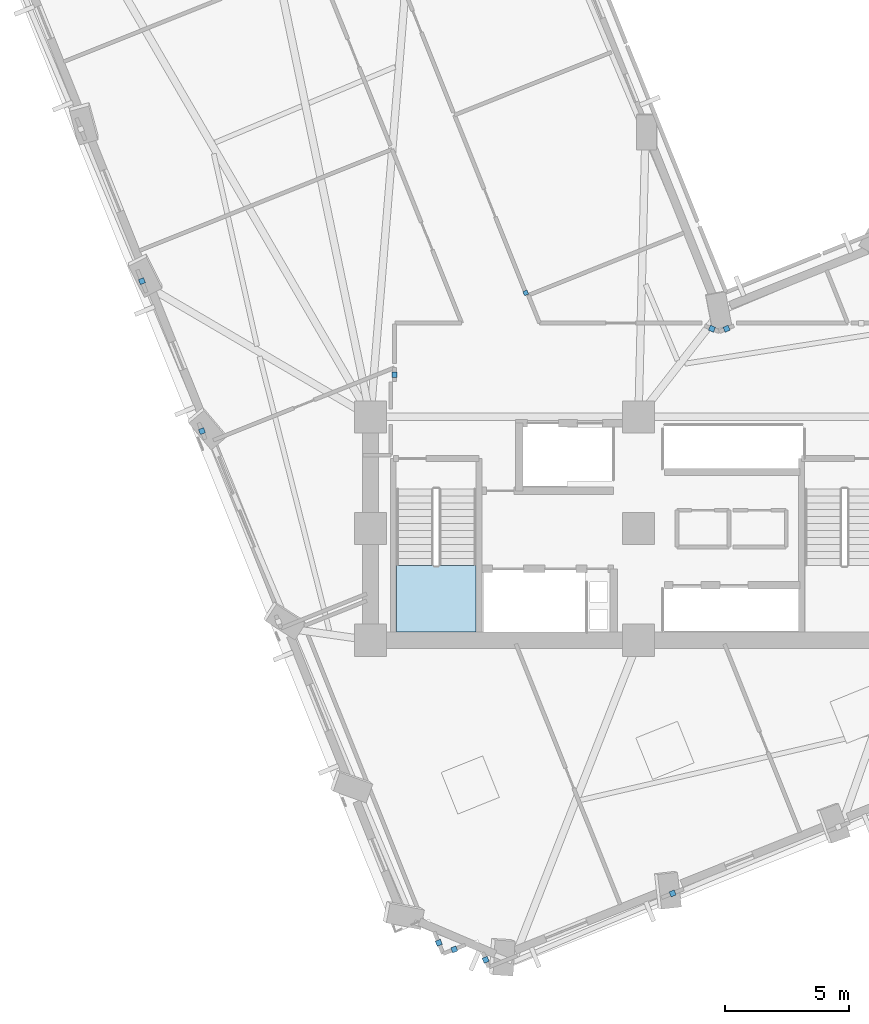
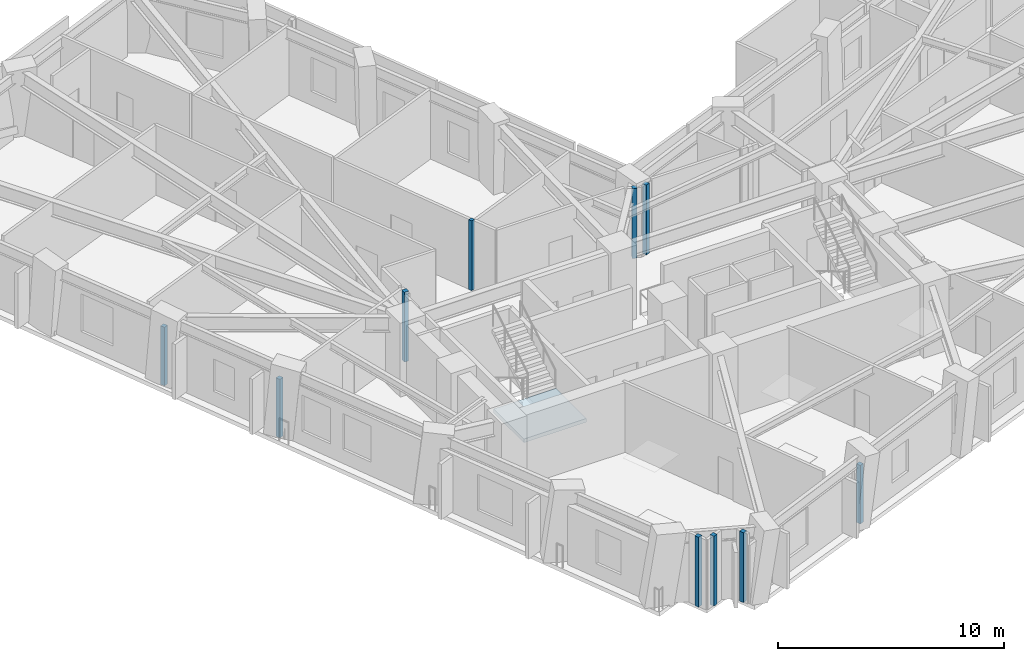
# One storey, part 3 of 16: 10 plates, 1 slab, 1 element without a shape of its own.
"""IFC4 building model written with IfcOpenShell, lengths in metres."""

from ifc_helpers import new_model, si_unit, direction, frame, origin, origin_2d, place, context, subcontext, project, spatial, polyline, rectangle, outline, extrude, material, layer, layer_set, type_object, element, aggregate, save


model = new_model("IFC4")

# Units and contexts
model_context = context("Model", 3, precision=1e-05, world=origin(), true_north=direction((0.0, 1.0)))
body_context = subcontext(model_context, "Body", "Model", "MODEL_VIEW")
ifc_project = project(units=[si_unit("LENGTHUNIT", "METRE"), si_unit("AREAUNIT", "SQUARE_METRE"), si_unit("VOLUMEUNIT", "CUBIC_METRE"), si_unit("PLANEANGLEUNIT", "RADIAN"), si_unit("MASSUNIT", "GRAM", prefix="KILO")], contexts=[model_context])

# Site, building, storey
site_placement = place(None, origin())
site = spatial("IfcSite", under=ifc_project, at=site_placement, CompositionType="ELEMENT")
building_placement = place(site_placement, origin())
building = spatial("IfcBuilding", under=site, at=building_placement, Name="Gaonmaruhae Medical Tower", CompositionType="ELEMENT")
storey_placement = place(building_placement, frame((0.0, 0.0, 116.39990234375)))
storey = spatial("IfcBuildingStorey", under=building, at=storey_placement, Name="L27", CompositionType="ELEMENT", Elevation=116.39990234375)

# Plates
ifc_material_1 = material(Name="Anodised aluminium 6063-T6", Category="aluminium")
ifc_layer_1 = layer(ifc_material_1, 0.011962890625)
ifc_layer_set_1 = layer_set([ifc_layer_1], Name="Anodised aluminium 6063-T6")
plate_type = type_object("IfcPlateType", Name="PP-01 Interior Partition Corner Stiffener Plate", PredefinedType="SHEET", material=ifc_layer_set_1)
plate_1_placement = place(storey_placement, frame((20.2587890625, 21.798583984375, 0.0), z_axis=(0.0, 0.0, 1.0), x_axis=(-0.372210349496, 0.928148401781, 0.0)))
element("IfcPlate", 1, at=plate_1_placement, inside=storey, type_object=plate_type, Name="L27 Partition End Jamb Post Plate PLT-L27-ENDP-PW085-0", PredefinedType="SHEET", context=body_context, shape_type="SweptSolid", body=[
    extrude(rectangle(XDim=0.179931640625, YDim=0.179931640625, at=origin_2d()), origin(), (0.0, 0.0, 1.0), 3.780029296875),
])
for number, where, z_axis, x_axis, name in (
    (2, (16.75244140625, -4.387451171875, 0.0), (0.0, 0.0, 1.0), (-0.371934945942, 0.928258797959, 0.0), "L27 Partition Corner Stiffener Plate PLT-L27-JGP-PW008"),
    (3, (18.64404296875, -5.072998046875, 0.0), (0.0, 0.0, 1.0), (-0.371934945942, 0.928258797959, 0.0), "L27 Partition Corner Stiffener Plate PLT-L27-JGP-PW013"),
    (4, (17.3759765625, -4.654541015625, 0.0), (0.0, 0.0, 1.0), (-0.928115916766, -0.372291344306, 0.0), "L27 Partition Corner Stiffener Plate PLT-L27-JGP-PW014"),
):
    element("IfcPlate", number, at=place(storey_placement, frame(where, z_axis=z_axis, x_axis=x_axis)), inside=storey, type_object=plate_type, Name=name, PredefinedType="SHEET", context=body_context, shape_type="SweptSolid", body=[
        extrude(rectangle(XDim=0.219970703125, YDim=0.219970703125, at=origin_2d()), origin(), (0.0, 0.0, 1.0), 3.780029296875),
    ])
plate_2_placement = place(storey_placement, frame((26.174560546875, -2.3974609375, 0.0), z_axis=(0.0, 0.0, 1.0), x_axis=(-0.927823233604, -0.373020169944, 0.0)))
element("IfcPlate", 5, at=plate_2_placement, inside=storey, type_object=plate_type, Name="L27 Partition Corner Stiffener Plate PLT-L27-JGP-PW015", PredefinedType="SHEET", context=body_context, shape_type="SweptSolid", body=[
    extrude(rectangle(XDim=0.219970703125, YDim=0.219970703125, at=origin_2d()), origin(), (0.0, 0.0, 1.0), 3.1650390625),
])
plate_3_placement = place(storey_placement, frame((14.969970703125, 18.507080078125, 0.0), z_axis=(0.0, 0.0, 1.0), x_axis=(0.0, -1.0, 0.0)))
element("IfcPlate", 6, at=plate_3_placement, inside=storey, type_object=plate_type, Name="L27 Partition Corner Stiffener Plate PLT-L27-JGP-PW046", PredefinedType="SHEET", context=body_context, shape_type="SweptSolid", body=[
    extrude(rectangle(XDim=0.219970703125, YDim=0.219970703125, at=origin_2d()), origin(), (0.0, 0.0, 1.0), 3.780029296875),
])
for number, where, z_axis, x_axis, name in (
    (7, (7.215087890625, 16.228515625, 0.0), (0.0, 0.0, 1.0), (-0.37285822856, 0.927888323773, 0.0), "L27 Partition Corner Stiffener Plate PLT-L27-JGP-PW048"),
    (8, (4.79296875, 22.2685546875, 0.0), (0.0, 0.0, 1.0), (-0.372096951999, 0.928193868927, 0.0), "L27 Partition Corner Stiffener Plate PLT-L27-JGP-PW049"),
):
    element("IfcPlate", number, at=place(storey_placement, frame(where, z_axis=z_axis, x_axis=x_axis)), inside=storey, type_object=plate_type, Name=name, PredefinedType="SHEET", context=body_context, shape_type="SweptSolid", body=[
        extrude(rectangle(XDim=0.219970703125, YDim=0.219970703125, at=origin_2d()), origin(), (0.0, 0.0, 1.0), 3.1650390625),
    ])
for number, where, z_axis, x_axis, name in (
    (9, (28.34912109375, 20.3515625, 0.0), (0.0, 0.0, 1.0), (-0.923538533177, -0.383505642381, 0.0), "L27 Partition Corner Stiffener Plate PLT-L27-JGP-PW064"),
    (10, (27.759033203125, 20.3515625, 0.0), (0.0, 0.0, 1.0), (-0.923538533177, 0.383505642381, 0.0), "L27 Partition Corner Stiffener Plate PLT-L27-JGP-PW065"),
):
    element("IfcPlate", number, at=place(storey_placement, frame(where, z_axis=z_axis, x_axis=x_axis)), inside=storey, type_object=plate_type, Name=name, PredefinedType="SHEET", context=body_context, shape_type="SweptSolid", body=[
        extrude(rectangle(XDim=0.219970703125, YDim=0.219970703125, at=origin_2d()), origin(), (0.0, 0.0, 1.0), 3.780029296875),
    ])

# Stair, slab
ifc_material_2 = material(Name="Concrete C40/50", Category="concrete")
stair_type = type_object("IfcStairType", Name="ST-T1 Primary Core Escape Dogleg Stair", PredefinedType="TWO_QUARTER_TURN_STAIR", material=ifc_material_2)
stair_placement = place(storey_placement, origin())
stair = element("IfcStair", 11, at=stair_placement, inside=storey, type_object=stair_type, Name="L27 Protected Escape Stair ST-01", PredefinedType="TWO_QUARTER_TURN_STAIR")
ifc_layer_2 = layer(ifc_material_2, 0.199951171875)
ifc_layer_set_2 = layer_set([ifc_layer_2], Name="Concrete C40/50")
slab_type = type_object("IfcSlabType", Name="SL-200 Stair & Ramp Intermediate Concrete Landing", PredefinedType="LANDING", material=ifc_layer_set_2)
slab_placement = place(storey_placement, frame((0.0, 0.0, 1.800048828125)))
slab = element("IfcSlab", 12, at=slab_placement, type_object=slab_type, Name="ST-01 landing 1", PredefinedType="LANDING", context=body_context, shape_type="SweptSolid", body=[
    extrude(outline(polyline([(15.050048828125, 10.820068359375), (15.050048828125, 8.12890625), (18.25, 8.12890625), (18.25, 10.820068359375), (15.050048828125, 10.820068359375)])), origin(), (0.0, 0.0, 1.0), 0.199951171875),
])
aggregate(stair, [slab])

save(model, "model.ifc")
